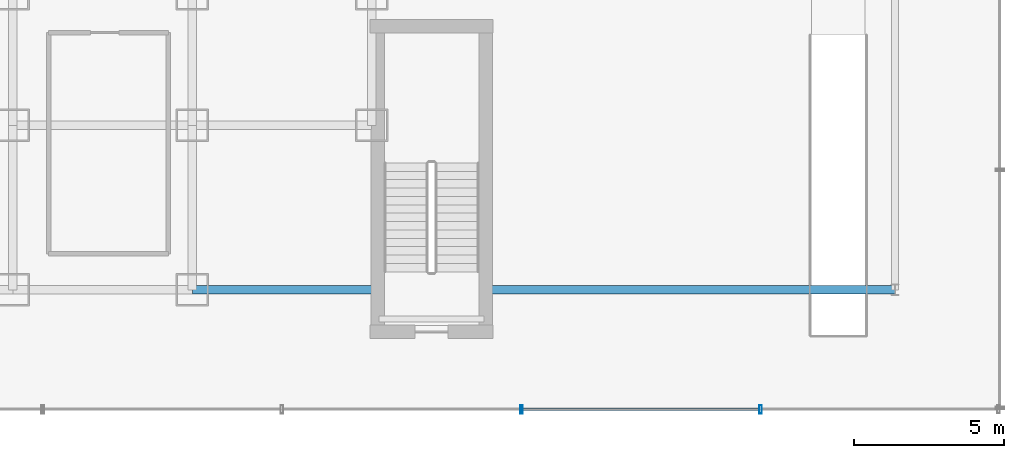
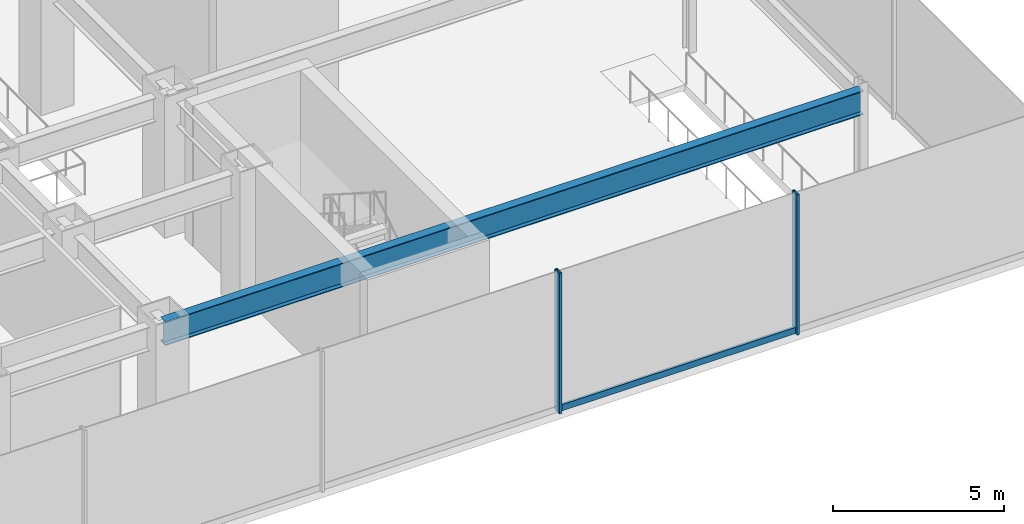
# One storey, part 19 of 40: 3 members, 1 beam, 1 element without a shape of its own.
"""IFC4 building model written with IfcOpenShell, lengths in metres."""

from ifc_helpers import new_model, si_unit, derived_unit, direction, frame, origin, origin_2d, place, context, subcontext, project, spatial, hollow_rectangle, i_section, extrude, source, transform, mapped, material, material_profile, profile_set, type_object, element, aggregate, save


model = new_model("IFC4")

# Units and contexts
model_context = context("Model", 3, precision=1e-05, world=origin(), true_north=direction((0.0, 1.0)))
body_context = subcontext(model_context, "Body", "Model", "MODEL_VIEW")
ifc_project = project(units=[si_unit("LENGTHUNIT", "METRE"), si_unit("AREAUNIT", "SQUARE_METRE"), si_unit("VOLUMEUNIT", "CUBIC_METRE"), si_unit("PLANEANGLEUNIT", "RADIAN"), si_unit("MASSUNIT", "GRAM", prefix="KILO"), derived_unit("THERMALTRANSMITTANCEUNIT", [(si_unit("POWERUNIT", "WATT"), 1), (si_unit("LENGTHUNIT", "METRE"), -2), (si_unit("THERMODYNAMICTEMPERATUREUNIT", "KELVIN"), -1)])], contexts=[model_context])

# Site, building, storey
site_placement = place(None, origin())
site = spatial("IfcSite", under=ifc_project, at=site_placement, CompositionType="ELEMENT")
building_placement = place(site_placement, origin())
building = spatial("IfcBuilding", under=site, at=building_placement, Name="Skarnbrae Concourse Arena and Tower", CompositionType="ELEMENT")
storey_placement = place(building_placement, frame((0.0, 0.0, 6.0)))
storey = spatial("IfcBuildingStorey", under=building, at=storey_placement, Name="L01", CompositionType="ELEMENT", Elevation=6.0)

# Beam
ifc_material_1 = material(Name="Steel CSA G40.21 350W", Category="steel")
ifc_material_profile_1 = material_profile(ifc_material_1, i_section(OverallWidth=0.2939453125, OverallDepth=0.85107421875, WebThickness=0.01611328125, FlangeThickness=0.02685546875, at=origin_2d()), Name="W840X226")
ifc_profile_set_1 = profile_set([ifc_material_profile_1], Name="Steel CSA G40.21 350W")
beam_type = type_object("IfcBeamType", Name="BM-GIRD-W840X226", PredefinedType="BEAM", material=ifc_profile_set_1)
shared_shape_1 = source(origin(), body_context, "Body", "SweptSolid", [
    extrude(i_section(OverallWidth=0.2939453125, OverallDepth=0.85107421875, WebThickness=0.01611328125, FlangeThickness=0.02685546875, at=origin_2d()), origin(), (0.0, 0.0, 1.0), 23.5),
])
beam_placement = place(storey_placement, frame((55.0, 4.0, 4.2744140625), z_axis=(1.0, 0.0, 0.0), x_axis=(0.0, 1.0, 0.0)))
element("IfcBeam", 1, at=beam_placement, inside=storey, type_object=beam_type, Name="L01 South-east girder 4", PredefinedType="BEAM", context=body_context, shape_type="MappedRepresentation", body=[
    mapped(shared_shape_1, transform((0.0, 0.0, 0.0))),
])

# Curtain wall, members
ifc_material_2 = material(Name="Bronze anodised aluminium 6063-T6", Category="aluminium")
curtain_wall_type = type_object("IfcCurtainWallType", Name="CW-SYS-01-PODIUM", PredefinedType="USERDEFINED", material=ifc_material_2)
curtain_wall_placement = place(storey_placement, origin())
curtain_wall = element("IfcCurtainWall", 2, at=curtain_wall_placement, inside=storey, type_object=curtain_wall_type, Name="L01 Unitised curtain wall CW-L01-SE", ObjectType="UNITISED CURTAIN WALL", PredefinedType="USERDEFINED")
ifc_material_profile_2 = material_profile(ifc_material_2, hollow_rectangle(XDim=0.0849609375, YDim=0.280029296875, WallThickness=0.006103515625, at=origin_2d()), Name="ALU-MULL-85X280")
ifc_profile_set_2 = profile_set([ifc_material_profile_2], Name="Bronze anodised aluminium 6063-T6")
member_type_1 = type_object("IfcMemberType", Name="CWM-CW-01", PredefinedType="MULLION", material=ifc_profile_set_2)
shared_shape_2 = source(origin(), body_context, "Body", "SweptSolid", [
    extrude(hollow_rectangle(XDim=0.0849609375, YDim=0.280029296875, WallThickness=0.006103515625, at=origin_2d()), origin(), (0.0, 0.0, 1.0), 5.0),
])
member_1_placement = place(storey_placement, frame((66.0, 0.0, 0.0), z_axis=(0.0, 0.0, 1.0), x_axis=(1.0, 0.0, 0.0)))
member_1 = element("IfcMember", 3, at=member_1_placement, type_object=member_type_1, Name="CW-L01-SE Mullion 5", PredefinedType="MULLION", context=body_context, shape_type="MappedRepresentation", body=[
    mapped(shared_shape_2, transform((0.0, 0.0, 0.0))),
])
member_2_placement = place(storey_placement, frame((74.0, 0.0, 0.0), z_axis=(0.0, 0.0, 1.0), x_axis=(1.0, 0.0, 0.0)))
member_2 = element("IfcMember", 4, at=member_2_placement, type_object=member_type_1, Name="CW-L01-SE Mullion 6", PredefinedType="MULLION", context=body_context, shape_type="MappedRepresentation", body=[
    mapped(shared_shape_2, transform((0.0, 0.0, 0.0))),
])
ifc_material_profile_3 = material_profile(ifc_material_2, hollow_rectangle(XDim=0.0849609375, YDim=0.219970703125, WallThickness=0.006103515625, at=origin_2d()), Name="ALU-TRAN-85X220")
ifc_profile_set_3 = profile_set([ifc_material_profile_3], Name="Bronze anodised aluminium 6063-T6")
member_type_2 = type_object("IfcMemberType", Name="CWT-CW-01", PredefinedType="USERDEFINED", material=ifc_profile_set_3)
shared_shape_3 = source(origin(), body_context, "Body", "SweptSolid", [
    extrude(hollow_rectangle(XDim=0.0849609375, YDim=0.219970703125, WallThickness=0.006103515625, at=origin_2d()), origin(), (0.0, 0.0, 1.0), 7.9150390625),
])
member_3_placement = place(storey_placement, frame((66.04248046875, 0.0, 0.110107421875), z_axis=(1.0, 0.0, 0.0), x_axis=(0.0, 1.0, 0.0)))
member_3 = element("IfcMember", 5, at=member_3_placement, type_object=member_type_2, Name="CW-L01-SE Transom 5", ObjectType="TRANSOM", PredefinedType="USERDEFINED", context=body_context, shape_type="MappedRepresentation", body=[
    mapped(shared_shape_3, transform((0.0, 0.0, 0.0))),
])
aggregate(curtain_wall, [member_1, member_2, member_3])

save(model, "model.ifc")
